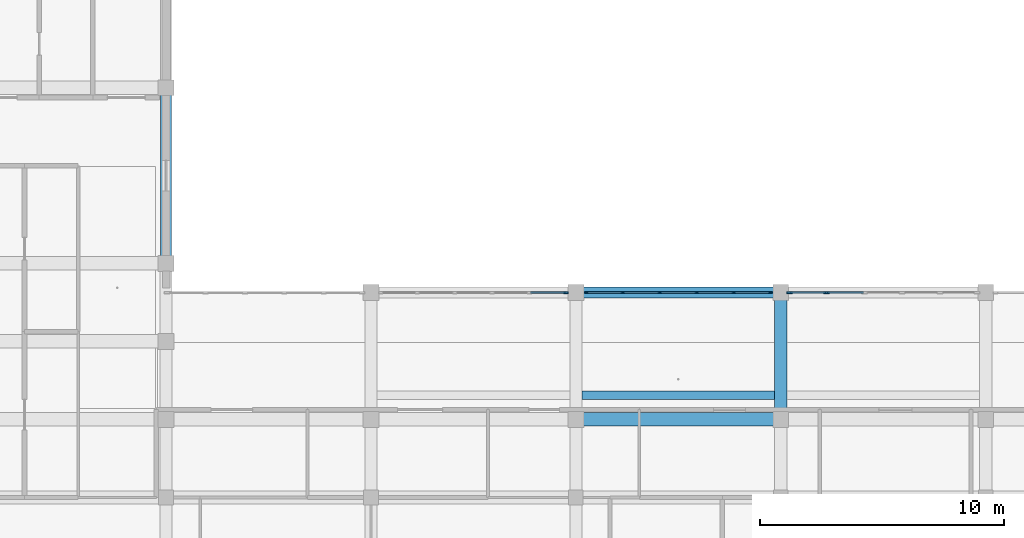
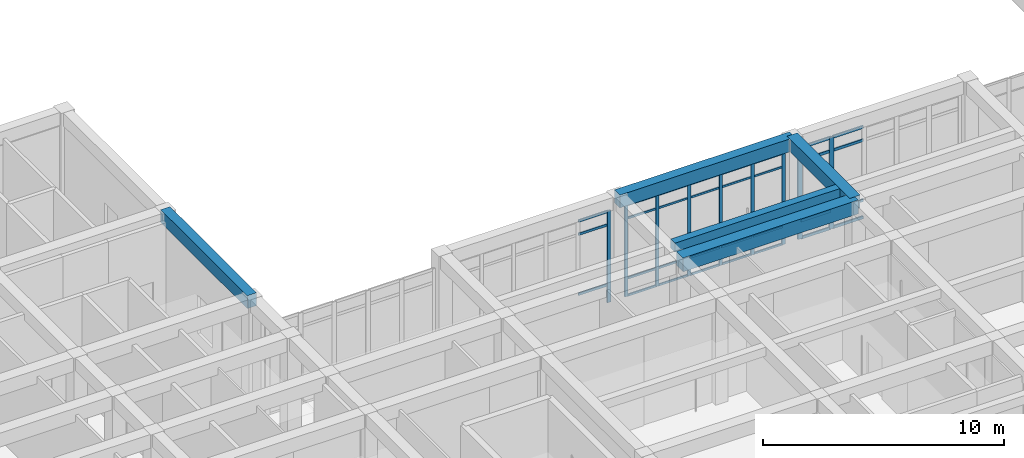
# One storey, part 42 of 157: 40 members, 5 beams, 3 elements without a shape of their own.
"""IFC4 building model written with IfcOpenShell, lengths in metres."""

from ifc_helpers import new_model, si_unit, direction, frame, origin, origin_2d, place, context, subcontext, project, spatial, rectangle, extrude, material, material_profile, profile_set, type_object, element, aggregate, save


model = new_model("IFC4")

# Units and contexts
model_context = context("Model", 3, precision=1e-05, world=origin(), true_north=direction((0.0, 1.0)))
body_context = subcontext(model_context, "Body", "Model", "MODEL_VIEW")
ifc_project = project(units=[si_unit("LENGTHUNIT", "METRE"), si_unit("AREAUNIT", "SQUARE_METRE"), si_unit("VOLUMEUNIT", "CUBIC_METRE"), si_unit("PLANEANGLEUNIT", "RADIAN"), si_unit("MASSUNIT", "GRAM", prefix="KILO")], contexts=[model_context])

# Site, building, storey
site_placement = place(None, origin())
site = spatial("IfcSite", under=ifc_project, at=site_placement, CompositionType="ELEMENT")
building_placement = place(site_placement, origin())
building = spatial("IfcBuilding", under=site, at=building_placement, Name="Varncliffe General Hospital", CompositionType="ELEMENT")
storey_placement = place(building_placement, frame((0.0, 0.0, 5.39990234375)))
storey = spatial("IfcBuildingStorey", under=building, at=storey_placement, Name="L01", CompositionType="ELEMENT", Elevation=5.39990234375)

# Beams
ifc_material_1 = material(Name="Concrete C35/45 (CSA A23.1 35 MPa)", Category="concrete")
ifc_material_profile_1 = material_profile(ifc_material_1, rectangle(XDim=0.5, YDim=0.64990234375, at=origin_2d()), Name="RC 500x650")
ifc_profile_set_1 = profile_set([ifc_material_profile_1], Name="Concrete C35/45 (CSA A23.1 35 MPa)")
beam_type_1 = type_object("IfcBeamType", Name="Beam B29 (Int RC 500x650)", PredefinedType="BEAM", material=ifc_profile_set_1)
beam_1_placement = place(storey_placement, frame((92.39990234375, 102.800048828125, 5.0751953125), z_axis=(0.0, 1.0, 0.0), x_axis=(-1.0, 0.0, 0.0)))
element("IfcBeam", 1, at=beam_1_placement, inside=storey, type_object=beam_type_1, Name="L01 Primary Beam B29-399", PredefinedType="BEAM", context=body_context, shape_type="SweptSolid", body=[
    extrude(rectangle(XDim=0.5, YDim=0.64990234375, at=origin_2d()), origin(), (0.0, 0.0, 1.0), 5.199951171875),
])
ifc_material_profile_2 = material_profile(ifc_material_1, rectangle(XDim=0.550048828125, YDim=0.699951171875, at=origin_2d()), Name="RC 550x700")
ifc_profile_set_2 = profile_set([ifc_material_profile_2], Name="Concrete C35/45 (CSA A23.1 35 MPa)")
beam_type_2 = type_object("IfcBeamType", Name="Beam B35 (Int RC 550x700)", PredefinedType="BEAM", material=ifc_profile_set_2)
beam_2_placement = place(storey_placement, frame((84.0, 102.800048828125, 5.050048828125), z_axis=(1.0, 0.0, 0.0), x_axis=(0.0, 1.0, 0.0)))
element("IfcBeam", 2, at=beam_2_placement, inside=storey, type_object=beam_type_2, Name="L01 Primary Beam B35-181", PredefinedType="BEAM", context=body_context, shape_type="SweptSolid", body=[
    extrude(rectangle(XDim=0.550048828125, YDim=0.699951171875, at=origin_2d()), origin(), (0.0, 0.0, 1.0), 8.39990234375),
])

# Curtain wall, member
ifc_material_2 = material(Name="Triple low-E argon insulated vision glazing", Category="glass")
curtain_wall_type_1 = type_object("IfcCurtainWallType", Name="Unitised Glazed Curtain Wall CW15 (7674x4640)", PredefinedType="USERDEFINED", material=ifc_material_2)
curtain_wall_1_placement = place(storey_placement, origin())
curtain_wall_1 = element("IfcCurtainWall", 3, at=curtain_wall_1_placement, inside=storey, type_object=curtain_wall_type_1, Name="L01 Glazed Curtain Wall CW15-40", ObjectType="GLAZED CURTAIN WALL", PredefinedType="USERDEFINED")
ifc_material_3 = material(Name="Dark bronze thermally broken aluminium framing", Category="aluminium")
ifc_material_profile_3 = material_profile(ifc_material_3, rectangle(XDim=0.074951171875, YDim=0.179931640625, at=origin_2d()), Name="ALU 75x180")
ifc_profile_set_3 = profile_set([ifc_material_profile_3], Name="Dark bronze thermally broken aluminium framing")
member_type_1 = type_object("IfcMemberType", Name="Curtain Wall Mullion CM44 (ALU 75x180)", PredefinedType="MULLION", material=ifc_profile_set_3)
member_1_placement = place(storey_placement, frame((83.599609375, 108.0, 0.0), z_axis=(0.0, 0.0, 1.0), x_axis=(0.0, 1.0, 0.0)))
member_1 = element("IfcMember", 4, at=member_1_placement, type_object=member_type_1, Name="CW15 mullion 6", PredefinedType="MULLION", context=body_context, shape_type="SweptSolid", body=[
    extrude(rectangle(XDim=0.074951171875, YDim=0.179931640625, at=origin_2d()), origin(), (0.0, 0.0, 1.0), 4.64013671875),
])

# Curtain wall, members
curtain_wall_type_2 = type_object("IfcCurtainWallType", Name="Unitised Glazed Curtain Wall CW26 (7594x4640)", PredefinedType="USERDEFINED", material=ifc_material_2)
curtain_wall_2_placement = place(storey_placement, origin())
curtain_wall_2 = element("IfcCurtainWall", 5, at=curtain_wall_2_placement, inside=storey, type_object=curtain_wall_type_2, Name="L01 Glazed Curtain Wall CW26-41", ObjectType="GLAZED CURTAIN WALL", PredefinedType="USERDEFINED")
ifc_material_profile_4 = material_profile(ifc_material_3, rectangle(XDim=0.06494140625, YDim=0.159912109375, at=origin_2d()), Name="ALU 65x160")
ifc_profile_set_4 = profile_set([ifc_material_profile_4], Name="Dark bronze thermally broken aluminium framing")
member_type_2 = type_object("IfcMemberType", Name="Curtain Wall Mullion CM65 (ALU 65x160)", PredefinedType="MULLION", material=ifc_profile_set_4)
member_2_placement = place(storey_placement, frame((84.435546875, 108.0, 0.0), z_axis=(0.0, 0.0, 1.0), x_axis=(0.0, 1.0, 0.0)))
member_2 = element("IfcMember", 6, at=member_2_placement, type_object=member_type_2, Name="CW26 mullion 1", PredefinedType="MULLION", context=body_context, shape_type="SweptSolid", body=[
    extrude(rectangle(XDim=0.06494140625, YDim=0.159912109375, at=origin_2d()), origin(), (0.0, 0.0, 1.0), 4.64013671875),
])
member_3_placement = place(storey_placement, frame((85.921875, 108.0, 0.0), z_axis=(0.0, 0.0, 1.0), x_axis=(0.0, 1.0, 0.0)))
member_3 = element("IfcMember", 7, at=member_3_placement, type_object=member_type_2, Name="CW26 mullion 2", PredefinedType="MULLION", context=body_context, shape_type="SweptSolid", body=[
    extrude(rectangle(XDim=0.06494140625, YDim=0.159912109375, at=origin_2d()), origin(), (0.0, 0.0, 1.0), 4.64013671875),
])
member_4_placement = place(storey_placement, frame((87.440673828125, 108.0, 0.0), z_axis=(0.0, 0.0, 1.0), x_axis=(0.0, 1.0, 0.0)))
member_4 = element("IfcMember", 8, at=member_4_placement, type_object=member_type_2, Name="CW26 mullion 3", PredefinedType="MULLION", context=body_context, shape_type="SweptSolid", body=[
    extrude(rectangle(XDim=0.06494140625, YDim=0.159912109375, at=origin_2d()), origin(), (0.0, 0.0, 1.0), 4.64013671875),
])
member_5_placement = place(storey_placement, frame((88.95947265625, 108.0, 0.0), z_axis=(0.0, 0.0, 1.0), x_axis=(0.0, 1.0, 0.0)))
member_5 = element("IfcMember", 9, at=member_5_placement, type_object=member_type_2, Name="CW26 mullion 4", PredefinedType="MULLION", context=body_context, shape_type="SweptSolid", body=[
    extrude(rectangle(XDim=0.06494140625, YDim=0.159912109375, at=origin_2d()), origin(), (0.0, 0.0, 1.0), 4.64013671875),
])
member_6_placement = place(storey_placement, frame((90.478271484375, 108.0, 0.0), z_axis=(0.0, 0.0, 1.0), x_axis=(0.0, 1.0, 0.0)))
member_6 = element("IfcMember", 10, at=member_6_placement, type_object=member_type_2, Name="CW26 mullion 5", PredefinedType="MULLION", context=body_context, shape_type="SweptSolid", body=[
    extrude(rectangle(XDim=0.06494140625, YDim=0.159912109375, at=origin_2d()), origin(), (0.0, 0.0, 1.0), 4.64013671875),
])
member_7_placement = place(storey_placement, frame((91.964599609375, 108.0, 0.0), z_axis=(0.0, 0.0, 1.0), x_axis=(0.0, 1.0, 0.0)))
member_7 = element("IfcMember", 11, at=member_7_placement, type_object=member_type_2, Name="CW26 mullion 6", PredefinedType="MULLION", context=body_context, shape_type="SweptSolid", body=[
    extrude(rectangle(XDim=0.06494140625, YDim=0.159912109375, at=origin_2d()), origin(), (0.0, 0.0, 1.0), 4.64013671875),
])

curtain_wall_type_3 = type_object("IfcCurtainWallType", Name="Unitised Glazed Curtain Wall CW66 (7754x4640)", PredefinedType="USERDEFINED", material=ifc_material_2)
curtain_wall_3_placement = place(storey_placement, origin())
curtain_wall_3 = element("IfcCurtainWall", 12, at=curtain_wall_3_placement, inside=storey, type_object=curtain_wall_type_3, Name="L01 Glazed Curtain Wall CW66-42", ObjectType="GLAZED CURTAIN WALL", PredefinedType="USERDEFINED")
ifc_material_profile_5 = material_profile(ifc_material_3, rectangle(XDim=0.074951171875, YDim=0.219970703125, at=origin_2d()), Name="ALU 75x220")
ifc_profile_set_5 = profile_set([ifc_material_profile_5], Name="Dark bronze thermally broken aluminium framing")
member_type_3 = type_object("IfcMemberType", Name="Curtain Wall Mullion CM74 (ALU 75x220)", PredefinedType="MULLION", material=ifc_profile_set_5)
member_8_placement = place(storey_placement, frame((92.760498046875, 108.0, 0.0), z_axis=(0.0, 0.0, 1.0), x_axis=(0.0, 1.0, 0.0)))
member_8 = element("IfcMember", 13, at=member_8_placement, type_object=member_type_3, Name="CW66 mullion 1", PredefinedType="MULLION", context=body_context, shape_type="SweptSolid", body=[
    extrude(rectangle(XDim=0.074951171875, YDim=0.219970703125, at=origin_2d()), origin(), (0.0, 0.0, 1.0), 4.64013671875),
])
member_9_placement = place(storey_placement, frame((94.273681640625, 108.0, 0.0), z_axis=(0.0, 0.0, 1.0), x_axis=(0.0, 1.0, 0.0)))
member_9 = element("IfcMember", 14, at=member_9_placement, type_object=member_type_3, Name="CW66 mullion 2", PredefinedType="MULLION", context=body_context, shape_type="SweptSolid", body=[
    extrude(rectangle(XDim=0.074951171875, YDim=0.219970703125, at=origin_2d()), origin(), (0.0, 0.0, 1.0), 4.64013671875),
])

# Member
ifc_material_profile_6 = material_profile(ifc_material_3, rectangle(XDim=0.06005859375, YDim=0.1201171875, at=origin_2d()), Name="ALU 60x120")
ifc_profile_set_6 = profile_set([ifc_material_profile_6], Name="Dark bronze thermally broken aluminium framing")
member_type_4 = type_object("IfcMemberType", Name="Curtain Wall Transom CT14 (ALU 60x120)", PredefinedType="USERDEFINED", material=ifc_profile_set_6)
member_10_placement = place(storey_placement, frame((82.1396484375, 108.0, 0.900146484375), z_axis=(1.0, 0.0, 0.0), x_axis=(0.0, 1.0, 0.0)))
member_10 = element("IfcMember", 15, at=member_10_placement, type_object=member_type_4, Name="CW15 transom 5.2", ObjectType="TRANSOM", PredefinedType="USERDEFINED", context=body_context, shape_type="SweptSolid", body=[
    extrude(rectangle(XDim=0.06005859375, YDim=0.1201171875, at=origin_2d()), origin(), (0.0, 0.0, 1.0), 1.42236328125),
])

member_11_placement = place(storey_placement, frame((82.1396484375, 108.0, 3.940185546875), z_axis=(1.0, 0.0, 0.0), x_axis=(0.0, 1.0, 0.0)))
member_11 = element("IfcMember", 16, at=member_11_placement, type_object=member_type_4, Name="CW15 transom 5.3", ObjectType="TRANSOM", PredefinedType="USERDEFINED", context=body_context, shape_type="SweptSolid", body=[
    extrude(rectangle(XDim=0.06005859375, YDim=0.1201171875, at=origin_2d()), origin(), (0.0, 0.0, 1.0), 1.42236328125),
])

member_12_placement = place(storey_placement, frame((82.1396484375, 108.0, 4.610107421875), z_axis=(1.0, 0.0, 0.0), x_axis=(0.0, 1.0, 0.0)))
member_12 = element("IfcMember", 17, at=member_12_placement, type_object=member_type_4, Name="CW15 transom 5.4", ObjectType="TRANSOM", PredefinedType="USERDEFINED", context=body_context, shape_type="SweptSolid", body=[
    extrude(rectangle(XDim=0.06005859375, YDim=0.1201171875, at=origin_2d()), origin(), (0.0, 0.0, 1.0), 1.42236328125),
])

aggregate(curtain_wall_1, [member_1, member_10, member_11, member_12])

ifc_material_profile_7 = material_profile(ifc_material_3, rectangle(XDim=0.06005859375, YDim=0.10009765625, at=origin_2d()), Name="ALU 60x100")
ifc_profile_set_7 = profile_set([ifc_material_profile_7], Name="Dark bronze thermally broken aluminium framing")
member_type_5 = type_object("IfcMemberType", Name="Curtain Wall Transom CT18 (ALU 60x100)", PredefinedType="USERDEFINED", material=ifc_profile_set_7)
member_13_placement = place(storey_placement, frame((84.468017578125, 108.0, 0.030029296875), z_axis=(1.0, 0.0, 0.0), x_axis=(0.0, 1.0, 0.0)))
member_13 = element("IfcMember", 18, at=member_13_placement, type_object=member_type_5, Name="CW26 transom 1.1", ObjectType="TRANSOM", PredefinedType="USERDEFINED", context=body_context, shape_type="SweptSolid", body=[
    extrude(rectangle(XDim=0.06005859375, YDim=0.10009765625, at=origin_2d()), origin(), (0.0, 0.0, 1.0), 1.42138671875),
])

member_14_placement = place(storey_placement, frame((84.468017578125, 108.0, 0.900146484375), z_axis=(1.0, 0.0, 0.0), x_axis=(0.0, 1.0, 0.0)))
member_14 = element("IfcMember", 19, at=member_14_placement, type_object=member_type_5, Name="CW26 transom 1.2", ObjectType="TRANSOM", PredefinedType="USERDEFINED", context=body_context, shape_type="SweptSolid", body=[
    extrude(rectangle(XDim=0.06005859375, YDim=0.10009765625, at=origin_2d()), origin(), (0.0, 0.0, 1.0), 1.42138671875),
])

member_15_placement = place(storey_placement, frame((84.468017578125, 108.0, 3.940185546875), z_axis=(1.0, 0.0, 0.0), x_axis=(0.0, 1.0, 0.0)))
member_15 = element("IfcMember", 20, at=member_15_placement, type_object=member_type_5, Name="CW26 transom 1.3", ObjectType="TRANSOM", PredefinedType="USERDEFINED", context=body_context, shape_type="SweptSolid", body=[
    extrude(rectangle(XDim=0.06005859375, YDim=0.10009765625, at=origin_2d()), origin(), (0.0, 0.0, 1.0), 1.42138671875),
])

member_16_placement = place(storey_placement, frame((84.468017578125, 108.0, 4.610107421875), z_axis=(1.0, 0.0, 0.0), x_axis=(0.0, 1.0, 0.0)))
member_16 = element("IfcMember", 21, at=member_16_placement, type_object=member_type_5, Name="CW26 transom 1.4", ObjectType="TRANSOM", PredefinedType="USERDEFINED", context=body_context, shape_type="SweptSolid", body=[
    extrude(rectangle(XDim=0.06005859375, YDim=0.10009765625, at=origin_2d()), origin(), (0.0, 0.0, 1.0), 1.42138671875),
])

member_17_placement = place(storey_placement, frame((85.954345703125, 108.0, 0.030029296875), z_axis=(1.0, 0.0, 0.0), x_axis=(0.0, 1.0, 0.0)))
member_17 = element("IfcMember", 22, at=member_17_placement, type_object=member_type_5, Name="CW26 transom 2.1", ObjectType="TRANSOM", PredefinedType="USERDEFINED", context=body_context, shape_type="SweptSolid", body=[
    extrude(rectangle(XDim=0.06005859375, YDim=0.10009765625, at=origin_2d()), origin(), (0.0, 0.0, 1.0), 1.453857421875),
])

member_18_placement = place(storey_placement, frame((85.954345703125, 108.0, 0.900146484375), z_axis=(1.0, 0.0, 0.0), x_axis=(0.0, 1.0, 0.0)))
member_18 = element("IfcMember", 23, at=member_18_placement, type_object=member_type_5, Name="CW26 transom 2.2", ObjectType="TRANSOM", PredefinedType="USERDEFINED", context=body_context, shape_type="SweptSolid", body=[
    extrude(rectangle(XDim=0.06005859375, YDim=0.10009765625, at=origin_2d()), origin(), (0.0, 0.0, 1.0), 1.453857421875),
])

member_19_placement = place(storey_placement, frame((85.954345703125, 108.0, 3.940185546875), z_axis=(1.0, 0.0, 0.0), x_axis=(0.0, 1.0, 0.0)))
member_19 = element("IfcMember", 24, at=member_19_placement, type_object=member_type_5, Name="CW26 transom 2.3", ObjectType="TRANSOM", PredefinedType="USERDEFINED", context=body_context, shape_type="SweptSolid", body=[
    extrude(rectangle(XDim=0.06005859375, YDim=0.10009765625, at=origin_2d()), origin(), (0.0, 0.0, 1.0), 1.453857421875),
])

member_20_placement = place(storey_placement, frame((85.954345703125, 108.0, 4.610107421875), z_axis=(1.0, 0.0, 0.0), x_axis=(0.0, 1.0, 0.0)))
member_20 = element("IfcMember", 25, at=member_20_placement, type_object=member_type_5, Name="CW26 transom 2.4", ObjectType="TRANSOM", PredefinedType="USERDEFINED", context=body_context, shape_type="SweptSolid", body=[
    extrude(rectangle(XDim=0.06005859375, YDim=0.10009765625, at=origin_2d()), origin(), (0.0, 0.0, 1.0), 1.453857421875),
])

member_21_placement = place(storey_placement, frame((87.47314453125, 108.0, 0.030029296875), z_axis=(1.0, 0.0, 0.0), x_axis=(0.0, 1.0, 0.0)))
member_21 = element("IfcMember", 26, at=member_21_placement, type_object=member_type_5, Name="CW26 transom 3.1", ObjectType="TRANSOM", PredefinedType="USERDEFINED", context=body_context, shape_type="SweptSolid", body=[
    extrude(rectangle(XDim=0.06005859375, YDim=0.10009765625, at=origin_2d()), origin(), (0.0, 0.0, 1.0), 1.453857421875),
])

member_22_placement = place(storey_placement, frame((87.47314453125, 108.0, 0.900146484375), z_axis=(1.0, 0.0, 0.0), x_axis=(0.0, 1.0, 0.0)))
member_22 = element("IfcMember", 27, at=member_22_placement, type_object=member_type_5, Name="CW26 transom 3.2", ObjectType="TRANSOM", PredefinedType="USERDEFINED", context=body_context, shape_type="SweptSolid", body=[
    extrude(rectangle(XDim=0.06005859375, YDim=0.10009765625, at=origin_2d()), origin(), (0.0, 0.0, 1.0), 1.453857421875),
])

member_23_placement = place(storey_placement, frame((87.47314453125, 108.0, 3.940185546875), z_axis=(1.0, 0.0, 0.0), x_axis=(0.0, 1.0, 0.0)))
member_23 = element("IfcMember", 28, at=member_23_placement, type_object=member_type_5, Name="CW26 transom 3.3", ObjectType="TRANSOM", PredefinedType="USERDEFINED", context=body_context, shape_type="SweptSolid", body=[
    extrude(rectangle(XDim=0.06005859375, YDim=0.10009765625, at=origin_2d()), origin(), (0.0, 0.0, 1.0), 1.453857421875),
])

member_24_placement = place(storey_placement, frame((87.47314453125, 108.0, 4.610107421875), z_axis=(1.0, 0.0, 0.0), x_axis=(0.0, 1.0, 0.0)))
member_24 = element("IfcMember", 29, at=member_24_placement, type_object=member_type_5, Name="CW26 transom 3.4", ObjectType="TRANSOM", PredefinedType="USERDEFINED", context=body_context, shape_type="SweptSolid", body=[
    extrude(rectangle(XDim=0.06005859375, YDim=0.10009765625, at=origin_2d()), origin(), (0.0, 0.0, 1.0), 1.453857421875),
])

member_25_placement = place(storey_placement, frame((88.991943359375, 108.0, 0.030029296875), z_axis=(1.0, 0.0, 0.0), x_axis=(0.0, 1.0, 0.0)))
member_25 = element("IfcMember", 30, at=member_25_placement, type_object=member_type_5, Name="CW26 transom 4.1", ObjectType="TRANSOM", PredefinedType="USERDEFINED", context=body_context, shape_type="SweptSolid", body=[
    extrude(rectangle(XDim=0.06005859375, YDim=0.10009765625, at=origin_2d()), origin(), (0.0, 0.0, 1.0), 1.453857421875),
])

member_26_placement = place(storey_placement, frame((88.991943359375, 108.0, 0.900146484375), z_axis=(1.0, 0.0, 0.0), x_axis=(0.0, 1.0, 0.0)))
member_26 = element("IfcMember", 31, at=member_26_placement, type_object=member_type_5, Name="CW26 transom 4.2", ObjectType="TRANSOM", PredefinedType="USERDEFINED", context=body_context, shape_type="SweptSolid", body=[
    extrude(rectangle(XDim=0.06005859375, YDim=0.10009765625, at=origin_2d()), origin(), (0.0, 0.0, 1.0), 1.453857421875),
])

member_27_placement = place(storey_placement, frame((88.991943359375, 108.0, 3.940185546875), z_axis=(1.0, 0.0, 0.0), x_axis=(0.0, 1.0, 0.0)))
member_27 = element("IfcMember", 32, at=member_27_placement, type_object=member_type_5, Name="CW26 transom 4.3", ObjectType="TRANSOM", PredefinedType="USERDEFINED", context=body_context, shape_type="SweptSolid", body=[
    extrude(rectangle(XDim=0.06005859375, YDim=0.10009765625, at=origin_2d()), origin(), (0.0, 0.0, 1.0), 1.453857421875),
])

member_28_placement = place(storey_placement, frame((88.991943359375, 108.0, 4.610107421875), z_axis=(1.0, 0.0, 0.0), x_axis=(0.0, 1.0, 0.0)))
member_28 = element("IfcMember", 33, at=member_28_placement, type_object=member_type_5, Name="CW26 transom 4.4", ObjectType="TRANSOM", PredefinedType="USERDEFINED", context=body_context, shape_type="SweptSolid", body=[
    extrude(rectangle(XDim=0.06005859375, YDim=0.10009765625, at=origin_2d()), origin(), (0.0, 0.0, 1.0), 1.453857421875),
])

member_29_placement = place(storey_placement, frame((90.5107421875, 108.0, 0.030029296875), z_axis=(1.0, 0.0, 0.0), x_axis=(0.0, 1.0, 0.0)))
member_29 = element("IfcMember", 34, at=member_29_placement, type_object=member_type_5, Name="CW26 transom 5.1", ObjectType="TRANSOM", PredefinedType="USERDEFINED", context=body_context, shape_type="SweptSolid", body=[
    extrude(rectangle(XDim=0.06005859375, YDim=0.10009765625, at=origin_2d()), origin(), (0.0, 0.0, 1.0), 1.421142578125),
])

member_30_placement = place(storey_placement, frame((90.5107421875, 108.0, 0.900146484375), z_axis=(1.0, 0.0, 0.0), x_axis=(0.0, 1.0, 0.0)))
member_30 = element("IfcMember", 35, at=member_30_placement, type_object=member_type_5, Name="CW26 transom 5.2", ObjectType="TRANSOM", PredefinedType="USERDEFINED", context=body_context, shape_type="SweptSolid", body=[
    extrude(rectangle(XDim=0.06005859375, YDim=0.10009765625, at=origin_2d()), origin(), (0.0, 0.0, 1.0), 1.421142578125),
])

member_31_placement = place(storey_placement, frame((90.5107421875, 108.0, 3.940185546875), z_axis=(1.0, 0.0, 0.0), x_axis=(0.0, 1.0, 0.0)))
member_31 = element("IfcMember", 36, at=member_31_placement, type_object=member_type_5, Name="CW26 transom 5.3", ObjectType="TRANSOM", PredefinedType="USERDEFINED", context=body_context, shape_type="SweptSolid", body=[
    extrude(rectangle(XDim=0.06005859375, YDim=0.10009765625, at=origin_2d()), origin(), (0.0, 0.0, 1.0), 1.421142578125),
])

member_32_placement = place(storey_placement, frame((90.5107421875, 108.0, 4.610107421875), z_axis=(1.0, 0.0, 0.0), x_axis=(0.0, 1.0, 0.0)))
member_32 = element("IfcMember", 37, at=member_32_placement, type_object=member_type_5, Name="CW26 transom 5.4", ObjectType="TRANSOM", PredefinedType="USERDEFINED", context=body_context, shape_type="SweptSolid", body=[
    extrude(rectangle(XDim=0.06005859375, YDim=0.10009765625, at=origin_2d()), origin(), (0.0, 0.0, 1.0), 1.421142578125),
])

aggregate(curtain_wall_2, [member_2, member_3, member_4, member_5, member_6, member_7, member_13, member_14, member_15, member_16, member_17, member_18, member_19, member_20, member_21, member_22, member_23, member_24, member_25, member_26, member_27, member_28, member_29, member_30, member_31, member_32])

ifc_material_profile_8 = material_profile(ifc_material_3, rectangle(XDim=0.06494140625, YDim=0.139892578125, at=origin_2d()), Name="ALU 65x140")
ifc_profile_set_8 = profile_set([ifc_material_profile_8], Name="Dark bronze thermally broken aluminium framing")
member_type_6 = type_object("IfcMemberType", Name="Curtain Wall Transom CT69 (ALU 65x140)", PredefinedType="USERDEFINED", material=ifc_profile_set_8)
member_33_placement = place(storey_placement, frame((92.798095703125, 108.0, 0.03271484375), z_axis=(1.0, 0.0, 0.0), x_axis=(0.0, 1.0, 0.0)))
member_33 = element("IfcMember", 38, at=member_33_placement, type_object=member_type_6, Name="CW66 transom 1.1", ObjectType="TRANSOM", PredefinedType="USERDEFINED", context=body_context, shape_type="SweptSolid", body=[
    extrude(rectangle(XDim=0.06494140625, YDim=0.139892578125, at=origin_2d()), origin(), (0.0, 0.0, 1.0), 1.438232421875),
])

member_34_placement = place(storey_placement, frame((92.798095703125, 108.0, 0.900146484375), z_axis=(1.0, 0.0, 0.0), x_axis=(0.0, 1.0, 0.0)))
member_34 = element("IfcMember", 39, at=member_34_placement, type_object=member_type_6, Name="CW66 transom 1.2", ObjectType="TRANSOM", PredefinedType="USERDEFINED", context=body_context, shape_type="SweptSolid", body=[
    extrude(rectangle(XDim=0.06494140625, YDim=0.139892578125, at=origin_2d()), origin(), (0.0, 0.0, 1.0), 1.438232421875),
])

member_35_placement = place(storey_placement, frame((92.798095703125, 108.0, 3.940185546875), z_axis=(1.0, 0.0, 0.0), x_axis=(0.0, 1.0, 0.0)))
member_35 = element("IfcMember", 40, at=member_35_placement, type_object=member_type_6, Name="CW66 transom 1.3", ObjectType="TRANSOM", PredefinedType="USERDEFINED", context=body_context, shape_type="SweptSolid", body=[
    extrude(rectangle(XDim=0.06494140625, YDim=0.139892578125, at=origin_2d()), origin(), (0.0, 0.0, 1.0), 1.438232421875),
])

member_36_placement = place(storey_placement, frame((92.798095703125, 108.0, 4.607666015625), z_axis=(1.0, 0.0, 0.0), x_axis=(0.0, 1.0, 0.0)))
member_36 = element("IfcMember", 41, at=member_36_placement, type_object=member_type_6, Name="CW66 transom 1.4", ObjectType="TRANSOM", PredefinedType="USERDEFINED", context=body_context, shape_type="SweptSolid", body=[
    extrude(rectangle(XDim=0.06494140625, YDim=0.139892578125, at=origin_2d()), origin(), (0.0, 0.0, 1.0), 1.438232421875),
])

member_37_placement = place(storey_placement, frame((94.311279296875, 108.0, 0.03271484375), z_axis=(1.0, 0.0, 0.0), x_axis=(0.0, 1.0, 0.0)))
member_37 = element("IfcMember", 42, at=member_37_placement, type_object=member_type_6, Name="CW66 transom 2.1", ObjectType="TRANSOM", PredefinedType="USERDEFINED", context=body_context, shape_type="SweptSolid", body=[
    extrude(rectangle(XDim=0.06494140625, YDim=0.139892578125, at=origin_2d()), origin(), (0.0, 0.0, 1.0), 1.475830078125),
])

member_38_placement = place(storey_placement, frame((94.311279296875, 108.0, 0.900146484375), z_axis=(1.0, 0.0, 0.0), x_axis=(0.0, 1.0, 0.0)))
member_38 = element("IfcMember", 43, at=member_38_placement, type_object=member_type_6, Name="CW66 transom 2.2", ObjectType="TRANSOM", PredefinedType="USERDEFINED", context=body_context, shape_type="SweptSolid", body=[
    extrude(rectangle(XDim=0.06494140625, YDim=0.139892578125, at=origin_2d()), origin(), (0.0, 0.0, 1.0), 1.475830078125),
])

member_39_placement = place(storey_placement, frame((94.311279296875, 108.0, 3.940185546875), z_axis=(1.0, 0.0, 0.0), x_axis=(0.0, 1.0, 0.0)))
member_39 = element("IfcMember", 44, at=member_39_placement, type_object=member_type_6, Name="CW66 transom 2.3", ObjectType="TRANSOM", PredefinedType="USERDEFINED", context=body_context, shape_type="SweptSolid", body=[
    extrude(rectangle(XDim=0.06494140625, YDim=0.139892578125, at=origin_2d()), origin(), (0.0, 0.0, 1.0), 1.475830078125),
])

member_40_placement = place(storey_placement, frame((94.311279296875, 108.0, 4.607666015625), z_axis=(1.0, 0.0, 0.0), x_axis=(0.0, 1.0, 0.0)))
member_40 = element("IfcMember", 45, at=member_40_placement, type_object=member_type_6, Name="CW66 transom 2.4", ObjectType="TRANSOM", PredefinedType="USERDEFINED", context=body_context, shape_type="SweptSolid", body=[
    extrude(rectangle(XDim=0.06494140625, YDim=0.139892578125, at=origin_2d()), origin(), (0.0, 0.0, 1.0), 1.475830078125),
])

aggregate(curtain_wall_3, [member_8, member_9, member_33, member_34, member_35, member_36, member_37, member_38, member_39, member_40])

# Beams
ifc_material_profile_9 = material_profile(ifc_material_1, rectangle(XDim=0.35009765625, YDim=0.449951171875, at=origin_2d()), Name="RC 350x450")
ifc_profile_set_9 = profile_set([ifc_material_profile_9], Name="Concrete C35/45 (CSA A23.1 35 MPa)")
beam_type_3 = type_object("IfcBeamType", Name="Joist J55 (Int RC 350x450)", PredefinedType="JOIST", material=ifc_profile_set_9)
beam_3_placement = place(storey_placement, frame((84.248046875, 103.800048828125, 5.175048828125), z_axis=(1.0, 0.0, 0.0), x_axis=(0.0, 1.0, 0.0)))
element("IfcBeam", 46, at=beam_3_placement, inside=storey, type_object=beam_type_3, Name="L01 Secondary Floor Rib J55-46", PredefinedType="JOIST", context=body_context, shape_type="SweptSolid", body=[
    extrude(rectangle(XDim=0.35009765625, YDim=0.449951171875, at=origin_2d()), origin(), (0.0, 0.0, 1.0), 7.904052734375),
])
ifc_material_profile_10 = material_profile(ifc_material_1, rectangle(XDim=0.449951171875, YDim=0.64990234375, at=origin_2d()), Name="RC 450x650")
ifc_profile_set_10 = profile_set([ifc_material_profile_10], Name="Concrete C35/45 (CSA A23.1 35 MPa)")
beam_type_4 = type_object("IfcBeamType", Name="Spandrel SP38 (Ext RC 450x650B)", PredefinedType="SPANDREL", material=ifc_profile_set_10)
beam_4_placement = place(storey_placement, frame((84.0, 108.0, 5.0751953125), z_axis=(1.0, 0.0, 0.0), x_axis=(0.0, 1.0, 0.0)))
element("IfcBeam", 47, at=beam_4_placement, inside=storey, type_object=beam_type_4, Name="L01 Spandrel Beam SP38-209", PredefinedType="SPANDREL", context=body_context, shape_type="SweptSolid", body=[
    extrude(rectangle(XDim=0.449951171875, YDim=0.64990234375, at=origin_2d()), origin(), (0.0, 0.0, 1.0), 8.39990234375),
])
beam_5_placement = place(storey_placement, frame((67.199951171875, 109.199951171875, 5.0751953125), z_axis=(0.0, 1.0, 0.0), x_axis=(-1.0, 0.0, 0.0)))
element("IfcBeam", 48, at=beam_5_placement, inside=storey, type_object=beam_type_4, Name="L01 Spandrel Beam SP38-377", PredefinedType="SPANDREL", context=body_context, shape_type="SweptSolid", body=[
    extrude(rectangle(XDim=0.449951171875, YDim=0.64990234375, at=origin_2d()), origin(), (0.0, 0.0, 1.0), 7.199951171875),
])

save(model, "model.ifc")
